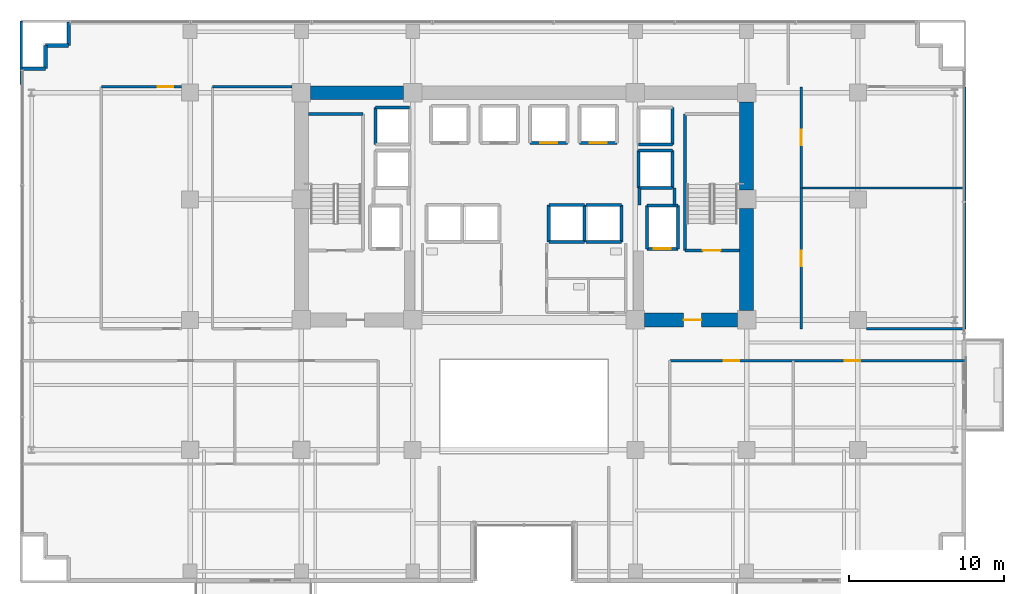
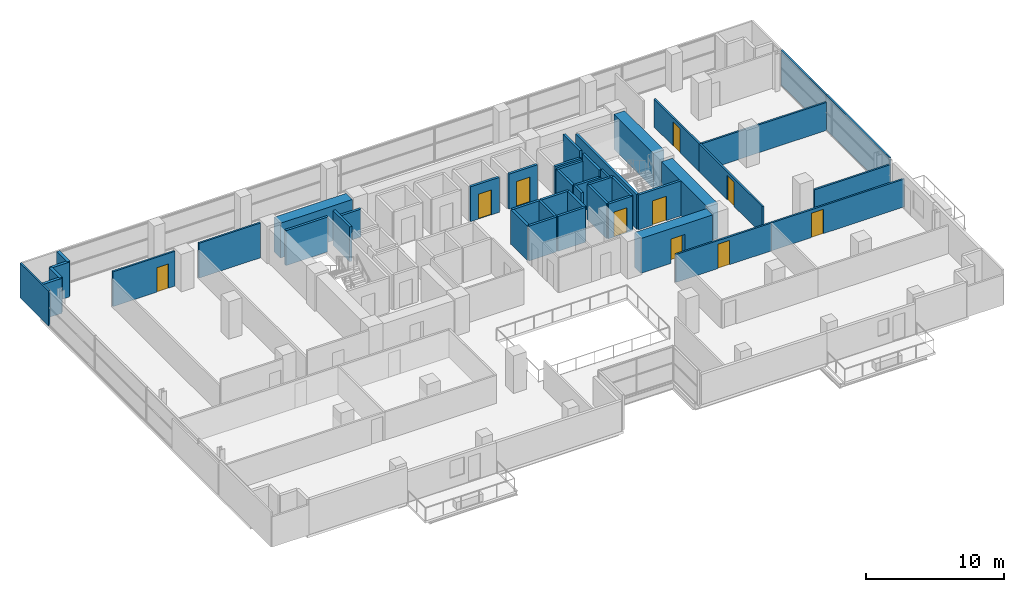
# One storey, part 24 of 29: 45 walls, 10 doors, 10 openings.
"""IFC4 building model written with IfcOpenShell, lengths in metres."""

from ifc_helpers import new_model, si_unit, direction, frame, frame_2d, origin, place, context, subcontext, project, spatial, rectangle, extrude, source, transform, mapped, material, layer, layer_set, type_object, element, fill, save


model = new_model("IFC4")

# Units and contexts
model_context = context("Model", 3, precision=1e-05, world=origin(), true_north=direction((0.0, 1.0)))
body_context = subcontext(model_context, "Body", "Model", "MODEL_VIEW")
ifc_project = project(units=[si_unit("LENGTHUNIT", "METRE"), si_unit("AREAUNIT", "SQUARE_METRE"), si_unit("VOLUMEUNIT", "CUBIC_METRE"), si_unit("PLANEANGLEUNIT", "RADIAN"), si_unit("MASSUNIT", "GRAM", prefix="KILO")], contexts=[model_context])

# Site, building, storey
site_placement = place(None, origin())
site = spatial("IfcSite", under=ifc_project, at=site_placement, CompositionType="ELEMENT")
building_placement = place(site_placement, origin())
building = spatial("IfcBuilding", under=site, at=building_placement, Name="Zarnakvel Exchange Tower", CompositionType="ELEMENT")
storey_placement = place(building_placement, frame((0.0, 0.0, 37.300048828125)))
storey = spatial("IfcBuildingStorey", under=building, at=storey_placement, Name="L09", CompositionType="ELEMENT", Elevation=37.300048828125)

# Walls
ifc_material_1 = material(Name="Concrete C80/95", Category="concrete")
ifc_layer_1 = layer(ifc_material_1, 0.89990234375)
ifc_layer_set_1 = layer_set([ifc_layer_1], Name="Concrete C80/95")
wall_type_1 = type_object("IfcWallType", Name="CW-C1", PredefinedType="SHEAR", material=ifc_layer_set_1)
wall_1_placement = place(storey_placement, frame((-13.800048828125, 13.5, 0.0), z_axis=(0.0, 0.0, 1.0), x_axis=(1.0, 0.0, 0.0)))
element("IfcWall", 1, at=wall_1_placement, inside=storey, type_object=wall_type_1, Name="L09 Rear Core Shear Wall N1 (CW-C1)", PredefinedType="SHEAR", context=body_context, shape_type="SweptSolid", body=[
    extrude(rectangle(XDim=6.0, YDim=0.89990234375, at=frame_2d((3.0, 0.0))), origin(), (0.0, 0.0, 1.0), 3.074951171875),
])
wall_2_placement = place(storey_placement, frame((14.39990234375, -0.60009765625, 0.0), z_axis=(0.0, 0.0, 1.0), x_axis=(0.0, 1.0, 0.0)))
element("IfcWall", 2, at=wall_2_placement, inside=storey, type_object=wall_type_1, Name="L09 Rear Core Shear Wall E1 (CW-C1)", PredefinedType="SHEAR", context=body_context, shape_type="SweptSolid", body=[
    extrude(rectangle(XDim=6.60009765625, YDim=0.89990234375, at=frame_2d((3.300048828125, 0.0))), origin(), (0.0, 0.0, 1.0), 3.074951171875),
])
wall_3_placement = place(storey_placement, frame((14.39990234375, 7.199951171875, 0.0), z_axis=(0.0, 0.0, 1.0), x_axis=(0.0, 1.0, 0.0)))
element("IfcWall", 3, at=wall_3_placement, inside=storey, type_object=wall_type_1, Name="L09 Rear Core Shear Wall E2 (CW-C1)", PredefinedType="SHEAR", context=body_context, shape_type="SweptSolid", body=[
    extrude(rectangle(XDim=5.699951171875, YDim=0.89990234375, at=frame_2d((2.85009765625, 0.0))), origin(), (0.0, 0.0, 1.0), 3.074951171875),
])

# Wall, opening, door
wall_4_placement = place(storey_placement, frame((13.800048828125, -1.199951171875, 0.0), z_axis=(0.0, 0.0, 1.0), x_axis=(-1.0, 0.0, 0.0)))
wall_4 = element("IfcWall", 4, at=wall_4_placement, inside=storey, type_object=wall_type_1, Name="L09 Rear Core Shear Wall SE (CW-C1)", PredefinedType="SHEAR", context=body_context, shape_type="SweptSolid", body=[
    extrude(rectangle(XDim=6.0, YDim=0.89990234375, at=frame_2d((3.0, 0.0))), origin(), (0.0, 0.0, 1.0), 3.074951171875),
])
opening_1_placement = place(wall_4_placement, frame((2.324951171875, 0.0, 0.0)))
opening_1 = element("IfcOpeningElement", 5, at=opening_1_placement, cuts=wall_4, Name="Opening D-L09-04", PredefinedType="OPENING", context=body_context, shape_type="SweptSolid", body=[
    extrude(rectangle(XDim=1.14990234375, YDim=2.14990234375, at=frame_2d((0.574951171875, 1.074951171875))), frame((0.0, 0.4599609375, 0.0), z_axis=(0.0, -1.0, 0.0), x_axis=(1.0, 0.0, 0.0)), (0.0, 0.0, 1.0), 0.919921875),
])
ifc_material_2 = material(Name="Painted Galvanised Steel S355", Category="steel")
door_type_1 = type_object("IfcDoorType", Name="DT-04", OperationType="NOTDEFINED", PredefinedType="DOOR", material=ifc_material_2)
shared_shape_1 = source(origin(), body_context, "Body", "SweptSolid", [
    extrude(rectangle(XDim=1.14990234375, YDim=2.14990234375, at=frame_2d((0.574951171875, 1.074951171875))), frame((0.0, 0.02490234375, 0.0), z_axis=(0.0, -1.0, 0.0), x_axis=(1.0, 0.0, 0.0)), (0.0, 0.0, 1.0), 0.050048828125),
])
door_1_placement = place(opening_1_placement, origin())
door_1 = element("IfcDoor", 6, at=door_1_placement, inside=storey, type_object=door_type_1, Name="L09 Firefighting Lobby East Door D-L09-04", OperationType="SINGLE_SWING_RIGHT", OverallHeight=2.14990234375, OverallWidth=1.14990234375, PredefinedType="DOOR", context=body_context, shape_type="MappedRepresentation", body=[
    mapped(shared_shape_1, transform((0.0, 0.0, 0.0), x_axis=(1.0, 0.0, 0.0), y_axis=(0.0, 1.0, 0.0), z_axis=(0.0, 0.0, 1.0), scale=1.0)),
])
fill(opening_1, door_1)

# Walls
ifc_material_3 = material(Name="Precast concrete C40/50", Category="concrete")
ifc_layer_2 = layer(ifc_material_3, 0.239990234375)
ifc_layer_set_2 = layer_set([ifc_layer_2], Name="Precast concrete C40/50")
wall_type_2 = type_object("IfcWallType", Name="EW-02", PredefinedType="SOLIDWALL", material=ifc_layer_set_2)
for number, where, z_axis, x_axis, name in (
    (7, (-30.9599609375, 15.06005859375, 0.0), (0.0, 0.0, 1.0), (-1.0, 0.0, 0.0), "L09 Exterior Precast Spandrel Wall EWC-L09-01 (EW-02)"),
    (8, (-30.9599609375, 16.56005859375, 0.0), (0.0, 0.0, 1.0), (0.0, -1.0, 0.0), "L09 Exterior Precast Spandrel Wall EWC-L09-02 (EW-02)"),
    (9, (-29.4599609375, 16.56005859375, 0.0), (0.0, 0.0, 1.0), (-1.0, 0.0, 0.0), "L09 Exterior Precast Spandrel Wall EWC-L09-03 (EW-02)"),
    (10, (-29.4599609375, 18.06005859375, 0.0), (0.0, 0.0, 1.0), (0.0, -1.0, 0.0), "L09 Exterior Precast Spandrel Wall EWC-L09-04 (EW-02)"),
):
    element("IfcWall", number, at=place(storey_placement, frame(where, z_axis=z_axis, x_axis=x_axis)), inside=storey, type_object=wall_type_2, Name=name, PredefinedType="SOLIDWALL", context=body_context, shape_type="SweptSolid", body=[
        extrude(rectangle(XDim=1.5, YDim=0.239990234375, at=frame_2d((0.75, 0.0))), origin(), (0.0, 0.0, 1.0), 3.074951171875),
    ])

# Wall, opening, door
ifc_material_4 = material(Name="Fire-Rated Gypsum Stud Partition", Category="gypsum")
ifc_layer_3 = layer(ifc_material_4, 0.14990234375)
ifc_layer_set_3 = layer_set([ifc_layer_3], Name="Fire-Rated Gypsum Stud Partition")
wall_type_3 = type_object("IfcWallType", Name="PT-01", PredefinedType="PARTITIONING", material=ifc_layer_set_3)
wall_5_placement = place(storey_placement, frame((9.429931640625, -3.830078125, 0.0), z_axis=(0.0, 0.0, 1.0), x_axis=(1.0, 0.0, 0.0)))
wall_5 = element("IfcWall", 11, at=wall_5_placement, inside=storey, type_object=wall_type_3, Name="L09 Partition Wall PWALL-L09-033 (PT-01)", PredefinedType="PARTITIONING", context=body_context, shape_type="SweptSolid", body=[
    extrude(rectangle(XDim=7.985107421875, YDim=0.14990234375, at=frame_2d((3.99267578125, 0.0))), origin(), (0.0, 0.0, 1.0), 2.46484375),
])
opening_2_placement = place(wall_5_placement, frame((3.501953125, 0.0, 0.0)))
opening_2 = element("IfcOpeningElement", 12, at=opening_2_placement, cuts=wall_5, Name="Opening D-L09-12", PredefinedType="OPENING", context=body_context, shape_type="SweptSolid", body=[
    extrude(rectangle(XDim=0.97998046875, YDim=2.14990234375, at=frame_2d((0.489990234375, 1.074951171875))), frame((0.0, 0.0849609375, 0.0), z_axis=(0.0, -1.0, 0.0), x_axis=(1.0, 0.0, 0.0)), (0.0, 0.0, 1.0), 0.169921875),
])
ifc_material_5 = material(Name="Timber Acoustic Veneer", Category="wood")
door_type_2 = type_object("IfcDoorType", Name="DT-05", OperationType="NOTDEFINED", PredefinedType="DOOR", material=ifc_material_5)
shared_shape_2 = source(origin(), body_context, "Body", "SweptSolid", [
    extrude(rectangle(XDim=0.97998046875, YDim=2.14990234375, at=frame_2d((0.489990234375, 1.074951171875))), frame((0.0, 0.02490234375, 0.0), z_axis=(0.0, -1.0, 0.0), x_axis=(1.0, 0.0, 0.0)), (0.0, 0.0, 1.0), 0.050048828125),
])
door_2_placement = place(opening_2_placement, origin())
door_2 = element("IfcDoor", 13, at=door_2_placement, inside=storey, type_object=door_type_2, Name="L09 Executive Office Door D-L09-12", OperationType="SINGLE_SWING_RIGHT", OverallHeight=2.14990234375, OverallWidth=0.97998046875, PredefinedType="DOOR", context=body_context, shape_type="MappedRepresentation", body=[
    mapped(shared_shape_2, transform((0.0, 0.0, 0.0), x_axis=(1.0, 0.0, 0.0), y_axis=(0.0, 1.0, 0.0), z_axis=(0.0, 0.0, 1.0), scale=1.0)),
])
fill(opening_2, door_2)

wall_6_placement = place(storey_placement, frame((17.4150390625, -3.830078125, 0.0), z_axis=(0.0, 0.0, 1.0), x_axis=(1.0, 0.0, 0.0)))
wall_6 = element("IfcWall", 14, at=wall_6_placement, inside=storey, type_object=wall_type_3, Name="L09 Partition Wall PWALL-L09-037 (PT-01)", PredefinedType="PARTITIONING", context=body_context, shape_type="SweptSolid", body=[
    extrude(rectangle(XDim=11.114990234375, YDim=0.14990234375, at=frame_2d((5.5576171875, 0.0))), origin(), (0.0, 0.0, 1.0), 2.46484375),
])
opening_3_placement = place(wall_6_placement, frame((3.343017578125, 0.0, 0.0)))
opening_3 = element("IfcOpeningElement", 15, at=opening_3_placement, cuts=wall_6, Name="Opening D-L09-13", PredefinedType="OPENING", context=body_context, shape_type="SweptSolid", body=[
    extrude(rectangle(XDim=0.97998046875, YDim=2.14990234375, at=frame_2d((0.489990234375, 1.074951171875))), frame((0.0, 0.0849609375, 0.0), z_axis=(0.0, -1.0, 0.0), x_axis=(1.0, 0.0, 0.0)), (0.0, 0.0, 1.0), 0.169921875),
])
door_3_placement = place(opening_3_placement, origin())
door_3 = element("IfcDoor", 16, at=door_3_placement, inside=storey, type_object=door_type_2, Name="L09 Meeting Room Door D-L09-13", OperationType="SINGLE_SWING_LEFT", OverallHeight=2.14990234375, OverallWidth=0.97998046875, PredefinedType="DOOR", context=body_context, shape_type="MappedRepresentation", body=[
    mapped(shared_shape_2, transform((0.0, 0.0, 0.0), x_axis=(1.0, 0.0, 0.0), y_axis=(0.0, 1.0, 0.0), z_axis=(0.0, 0.0, 1.0), scale=1.0)),
])
fill(opening_3, door_3)

wall_7_placement = place(storey_placement, frame((-27.346435546875, 13.8798828125, 0.0), z_axis=(0.0, 0.0, 1.0), x_axis=(1.0, 0.0, 0.0)))
wall_7 = element("IfcWall", 17, at=wall_7_placement, inside=storey, type_object=wall_type_3, Name="L09 Partition Wall PWALL-L09-043 (PT-01)", PredefinedType="PARTITIONING", context=body_context, shape_type="SweptSolid", body=[
    extrude(rectangle(XDim=5.176513671875, YDim=0.14990234375, at=frame_2d((2.58837890625, 0.0))), origin(), (0.0, 0.0, 1.0), 3.074951171875),
])
opening_4_placement = place(wall_7_placement, frame((3.66650390625, 0.0, 0.0)))
opening_4 = element("IfcOpeningElement", 18, at=opening_4_placement, cuts=wall_7, Name="Opening D-L09-19", PredefinedType="OPENING", context=body_context, shape_type="SweptSolid", body=[
    extrude(rectangle(XDim=0.97998046875, YDim=2.14990234375, at=frame_2d((0.489990234375, 1.074951171875))), frame((0.0, 0.0849609375, 0.0), z_axis=(0.0, -1.0, 0.0), x_axis=(1.0, 0.0, 0.0)), (0.0, 0.0, 1.0), 0.169921875),
])
door_4_placement = place(opening_4_placement, origin())
door_4 = element("IfcDoor", 19, at=door_4_placement, inside=storey, type_object=door_type_2, Name="L09 Settlement Office Door D-L09-19", OperationType="SINGLE_SWING_LEFT", OverallHeight=2.14990234375, OverallWidth=0.97998046875, PredefinedType="DOOR", context=body_context, shape_type="MappedRepresentation", body=[
    mapped(shared_shape_2, transform((0.0, 0.0, 0.0), x_axis=(1.0, 0.0, 0.0), y_axis=(0.0, 1.0, 0.0), z_axis=(0.0, 0.0, 1.0), scale=1.0)),
])
fill(opening_4, door_4)

# Walls
wall_8_placement = place(storey_placement, frame((-20.153564453125, 13.8798828125, 0.0), z_axis=(0.0, 0.0, 1.0), x_axis=(1.0, 0.0, 0.0)))
element("IfcWall", 20, at=wall_8_placement, inside=storey, type_object=wall_type_3, Name="L09 Partition Wall PWALL-L09-047 (PT-01)", PredefinedType="PARTITIONING", context=body_context, shape_type="SweptSolid", body=[
    extrude(rectangle(XDim=5.133544921875, YDim=0.14990234375, at=frame_2d((2.56689453125, 0.0))), origin(), (0.0, 0.0, 1.0), 3.074951171875),
])
wall_9_placement = place(storey_placement, frame((28.530029296875, -1.77001953125, 0.0), z_axis=(0.0, 0.0, 1.0), x_axis=(-1.0, 0.0, 0.0)))
element("IfcWall", 21, at=wall_9_placement, inside=storey, type_object=wall_type_3, Name="L09 Partition Wall PWALL-L09-048 (PT-01)", PredefinedType="PARTITIONING", context=body_context, shape_type="SweptSolid", body=[
    extrude(rectangle(XDim=6.360107421875, YDim=0.14990234375, at=frame_2d((3.18017578125, 0.0))), origin(), (0.0, 0.0, 1.0), 2.46484375),
])
wall_10_placement = place(storey_placement, frame((17.929931640625, 7.33251953125, 0.0), z_axis=(0.0, 0.0, 1.0), x_axis=(1.0, 0.0, 0.0)))
element("IfcWall", 22, at=wall_10_placement, inside=storey, type_object=wall_type_3, Name="L09 Partition Wall PWALL-L09-049 (PT-01)", PredefinedType="PARTITIONING", context=body_context, shape_type="SweptSolid", body=[
    extrude(rectangle(XDim=10.60009765625, YDim=0.14990234375, at=frame_2d((5.300048828125, 0.0))), origin(), (0.0, 0.0, 1.0), 2.46484375),
])

# Wall, opening, door
wall_11_placement = place(storey_placement, frame((17.929931640625, -1.77001953125, 0.0), z_axis=(0.0, 0.0, 1.0), x_axis=(0.0, 1.0, 0.0)))
wall_11 = element("IfcWall", 23, at=wall_11_placement, inside=storey, type_object=wall_type_3, Name="L09 Partition Wall PWALL-L09-050 (PT-01)", PredefinedType="PARTITIONING", context=body_context, shape_type="SweptSolid", body=[
    extrude(rectangle(XDim=9.1025390625, YDim=0.14990234375, at=frame_2d((4.55126953125, 0.0))), origin(), (0.0, 0.0, 1.0), 2.46484375),
])
opening_5_placement = place(wall_11_placement, frame((4.06103515625, 0.0, 0.0)))
opening_5 = element("IfcOpeningElement", 24, at=opening_5_placement, cuts=wall_11, Name="Opening D-L09-17", PredefinedType="OPENING", context=body_context, shape_type="SweptSolid", body=[
    extrude(rectangle(XDim=0.97998046875, YDim=2.14990234375, at=frame_2d((0.489990234375, 1.074951171875))), frame((0.0, 0.0849609375, 0.0), z_axis=(0.0, -1.0, 0.0), x_axis=(1.0, 0.0, 0.0)), (0.0, 0.0, 1.0), 0.169921875),
])
door_5_placement = place(opening_5_placement, origin())
door_5 = element("IfcDoor", 25, at=door_5_placement, inside=storey, type_object=door_type_2, Name="L09 Breakout Pantry Door D-L09-17", OperationType="SINGLE_SWING_LEFT", OverallHeight=2.14990234375, OverallWidth=0.97998046875, PredefinedType="DOOR", context=body_context, shape_type="MappedRepresentation", body=[
    mapped(shared_shape_2, transform((0.0, 0.0, 0.0), x_axis=(1.0, 0.0, 0.0), y_axis=(0.0, 1.0, 0.0), z_axis=(0.0, 0.0, 1.0), scale=1.0)),
])
fill(opening_5, door_5)

# Wall
wall_12_placement = place(storey_placement, frame((28.530029296875, 7.33251953125, 0.0), z_axis=(0.0, 0.0, 1.0), x_axis=(0.0, -1.0, 0.0)))
element("IfcWall", 26, at=wall_12_placement, inside=storey, type_object=wall_type_3, Name="L09 Partition Wall PWALL-L09-051 (PT-01)", PredefinedType="PARTITIONING", context=body_context, shape_type="SweptSolid", body=[
    extrude(rectangle(XDim=9.1025390625, YDim=0.14990234375, at=frame_2d((4.55126953125, 0.0))), origin(), (0.0, 0.0, 1.0), 3.074951171875),
])

# Wall, opening, door
wall_13_placement = place(storey_placement, frame((17.929931640625, 7.33251953125, 0.0), z_axis=(0.0, 0.0, 1.0), x_axis=(0.0, 1.0, 0.0)))
wall_13 = element("IfcWall", 27, at=wall_13_placement, inside=storey, type_object=wall_type_3, Name="L09 Partition Wall PWALL-L09-053 (PT-01)", PredefinedType="PARTITIONING", context=body_context, shape_type="SweptSolid", body=[
    extrude(rectangle(XDim=6.54736328125, YDim=0.14990234375, at=frame_2d((3.273681640625, 0.0))), origin(), (0.0, 0.0, 1.0), 2.46484375),
])
opening_6_placement = place(wall_13_placement, frame((2.783447265625, 0.0, 0.0)))
opening_6 = element("IfcOpeningElement", 28, at=opening_6_placement, cuts=wall_13, Name="Opening D-L09-18", PredefinedType="OPENING", context=body_context, shape_type="SweptSolid", body=[
    extrude(rectangle(XDim=0.97998046875, YDim=2.14990234375, at=frame_2d((0.489990234375, 1.074951171875))), frame((0.0, 0.0849609375, 0.0), z_axis=(0.0, -1.0, 0.0), x_axis=(1.0, 0.0, 0.0)), (0.0, 0.0, 1.0), 0.169921875),
])
door_6_placement = place(opening_6_placement, origin())
door_6 = element("IfcDoor", 29, at=door_6_placement, inside=storey, type_object=door_type_2, Name="L09 Settlement Office Door D-L09-18", OperationType="SINGLE_SWING_RIGHT", OverallHeight=2.14990234375, OverallWidth=0.97998046875, PredefinedType="DOOR", context=body_context, shape_type="MappedRepresentation", body=[
    mapped(shared_shape_2, transform((0.0, 0.0, 0.0), x_axis=(1.0, 0.0, 0.0), y_axis=(0.0, 1.0, 0.0), z_axis=(0.0, 0.0, 1.0), scale=1.0)),
])
fill(opening_6, door_6)

# Walls
wall_14_placement = place(storey_placement, frame((28.530029296875, 13.8798828125, 0.0), z_axis=(0.0, 0.0, 1.0), x_axis=(0.0, -1.0, 0.0)))
element("IfcWall", 30, at=wall_14_placement, inside=storey, type_object=wall_type_3, Name="L09 Partition Wall PWALL-L09-054 (PT-01)", PredefinedType="PARTITIONING", context=body_context, shape_type="SweptSolid", body=[
    extrude(rectangle(XDim=6.54736328125, YDim=0.14990234375, at=frame_2d((3.273681640625, 0.0))), origin(), (0.0, 0.0, 1.0), 3.074951171875),
])
wall_15_placement = place(storey_placement, frame((-32.530029296875, 14.030029296875, 0.0), z_axis=(0.0, 0.0, 1.0), x_axis=(0.0, 1.0, 0.0)))
element("IfcWall", 31, at=wall_15_placement, inside=storey, type_object=wall_type_3, Name="L09 Partition Wall PWALL-L09-056 (PT-01)", PredefinedType="PARTITIONING", context=body_context, shape_type="SweptSolid", body=[
    extrude(rectangle(XDim=4.099853515625, YDim=0.14990234375, at=frame_2d((2.0498046875, 0.0))), origin(), (0.0, 0.0, 1.0), 3.074951171875),
])
ifc_layer_4 = layer(ifc_material_4, 0.179931640625)
ifc_layer_set_4 = layer_set([ifc_layer_4], Name="Fire-Rated Gypsum Stud Partition")
wall_type_4 = type_object("IfcWallType", Name="PT-02", PredefinedType="PARTITIONING", material=ifc_layer_set_4)
wall_16_placement = place(storey_placement, frame((7.469970703125, 6.239990234375, 0.0), z_axis=(0.0, 0.0, 1.0), x_axis=(0.0, 1.0, 0.0)))
element("IfcWall", 32, at=wall_16_placement, inside=storey, type_object=wall_type_4, Name="L09 Partition Wall PWALL-L09-009 (PT-02)", PredefinedType="PARTITIONING", context=body_context, shape_type="SweptSolid", body=[
    extrude(rectangle(XDim=1.090087890625, YDim=0.179931640625, at=frame_2d((0.544921875, 0.0))), origin(), (0.0, 0.0, 1.0), 2.46484375),
])
wall_17_placement = place(storey_placement, frame((9.72998046875, 7.330078125, 0.0), z_axis=(0.0, 0.0, 1.0), x_axis=(0.0, -1.0, 0.0)))
element("IfcWall", 33, at=wall_17_placement, inside=storey, type_object=wall_type_4, Name="L09 Partition Wall PWALL-L09-010 (PT-02)", PredefinedType="PARTITIONING", context=body_context, shape_type="SweptSolid", body=[
    extrude(rectangle(XDim=1.090087890625, YDim=0.179931640625, at=frame_2d((0.544921875, 0.0))), origin(), (0.0, 0.0, 1.0), 3.074951171875),
])

# Wall, opening, door
ifc_material_6 = material(Name="Concrete C40/50", Category="concrete")
ifc_layer_5 = layer(ifc_material_6, 0.199951171875)
ifc_layer_set_5 = layer_set([ifc_layer_5], Name="Concrete C40/50")
wall_type_5 = type_object("IfcWallType", Name="SW-01", PredefinedType="SOLIDWALL", material=ifc_layer_set_5)
wall_18_placement = place(storey_placement, frame((9.949951171875, 3.39990234375, 0.0), z_axis=(0.0, 0.0, 1.0), x_axis=(-1.0, 0.0, 0.0)))
wall_18 = element("IfcWall", 34, at=wall_18_placement, inside=storey, type_object=wall_type_5, Name="L09 FL-02 Hoistway Wall South", PredefinedType="SOLIDWALL", context=body_context, shape_type="SweptSolid", body=[
    extrude(rectangle(XDim=2.0, YDim=0.199951171875, at=frame_2d((1.0, 0.0))), origin(), (0.0, 0.0, 1.0), 3.074951171875),
])
opening_7_placement = place(wall_18_placement, frame((0.449951171875, 0.0, 0.0)))
opening_7 = element("IfcOpeningElement", 35, at=opening_7_placement, cuts=wall_18, Name="Opening LD-FL-02-L09", PredefinedType="OPENING", context=body_context, shape_type="SweptSolid", body=[
    extrude(rectangle(XDim=1.10009765625, YDim=2.199951171875, at=frame_2d((0.550048828125, 1.10009765625))), frame((0.0, 0.10986328125, 0.0), z_axis=(0.0, -1.0, 0.0), x_axis=(1.0, 0.0, 0.0)), (0.0, 0.0, 1.0), 0.219970703125),
])
ifc_material_7 = material(Name="Brushed Stainless Steel", Category="steel")
door_type_3 = type_object("IfcDoorType", Name="LDT-01", OperationType="NOTDEFINED", PredefinedType="DOOR", material=ifc_material_7)
shared_shape_3 = source(origin(), body_context, "Body", "SweptSolid", [
    extrude(rectangle(XDim=1.10009765625, YDim=2.199951171875, at=frame_2d((0.550048828125, 1.10009765625))), frame((0.0, 0.02490234375, 0.0), z_axis=(0.0, -1.0, 0.0), x_axis=(1.0, 0.0, 0.0)), (0.0, 0.0, 1.0), 0.050048828125),
])
door_7_placement = place(opening_7_placement, origin())
door_7 = element("IfcDoor", 36, at=door_7_placement, inside=storey, type_object=door_type_3, Name="L09 FL-02 Lift Landing Door LD-FL-02-L09", OperationType="DOUBLE_DOOR_SLIDING", OverallHeight=2.199951171875, OverallWidth=1.10009765625, PredefinedType="DOOR", context=body_context, shape_type="MappedRepresentation", body=[
    mapped(shared_shape_3, transform((0.0, 0.0, 0.0), x_axis=(1.0, 0.0, 0.0), y_axis=(0.0, 1.0, 0.0), z_axis=(0.0, 0.0, 1.0), scale=1.0)),
])
fill(opening_7, door_7)

# Walls
wall_19_placement = place(storey_placement, frame((7.949951171875, 6.199951171875, 0.0), z_axis=(0.0, 0.0, 1.0), x_axis=(1.0, 0.0, 0.0)))
element("IfcWall", 37, at=wall_19_placement, inside=storey, type_object=wall_type_5, Name="L09 FL-02 Hoistway Wall North", PredefinedType="SOLIDWALL", context=body_context, shape_type="SweptSolid", body=[
    extrude(rectangle(XDim=2.0, YDim=0.199951171875, at=frame_2d((1.0, 0.0))), origin(), (0.0, 0.0, 1.0), 3.074951171875),
])
for number, where, z_axis, x_axis, name in (
    (38, (7.949951171875, 3.39990234375, 0.0), (0.0, 0.0, 1.0), (0.0, 1.0, 0.0), "L09 FL-02 Hoistway Wall West"),
    (39, (9.949951171875, 6.199951171875, 0.0), (0.0, 0.0, 1.0), (0.0, -1.0, 0.0), "L09 FL-02 Hoistway Wall East"),
):
    element("IfcWall", number, at=place(storey_placement, frame(where, z_axis=z_axis, x_axis=x_axis)), inside=storey, type_object=wall_type_5, Name=name, PredefinedType="SOLIDWALL", context=body_context, shape_type="SweptSolid", body=[
        extrude(rectangle(XDim=2.800048828125, YDim=0.199951171875, at=frame_2d((1.39990234375, 0.0))), origin(), (0.0, 0.0, 1.0), 3.074951171875),
    ])

# Wall, opening, door
wall_20_placement = place(storey_placement, frame((2.800048828125, 10.25, 0.0), z_axis=(0.0, 0.0, 1.0), x_axis=(-1.0, 0.0, 0.0)))
wall_20 = element("IfcWall", 40, at=wall_20_placement, inside=storey, type_object=wall_type_5, Name="L09 PL-03 Hoistway Wall South", PredefinedType="SOLIDWALL", context=body_context, shape_type="SweptSolid", body=[
    extrude(rectangle(XDim=2.400146484375, YDim=0.199951171875, at=frame_2d((1.2001953125, 0.0))), origin(), (0.0, 0.0, 1.0), 3.074951171875),
])
opening_8_placement = place(wall_20_placement, frame((0.64990234375, 0.0, 0.0)))
opening_8 = element("IfcOpeningElement", 41, at=opening_8_placement, cuts=wall_20, Name="Opening LD-PL-03-L09", PredefinedType="OPENING", context=body_context, shape_type="SweptSolid", body=[
    extrude(rectangle(XDim=1.10009765625, YDim=2.199951171875, at=frame_2d((0.550048828125, 1.10009765625))), frame((0.0, 0.10986328125, 0.0), z_axis=(0.0, -1.0, 0.0), x_axis=(1.0, 0.0, 0.0)), (0.0, 0.0, 1.0), 0.219970703125),
])
ifc_material_8 = material(Name="Architectural Bronze Anodised Aluminium", Category="aluminium")
door_type_4 = type_object("IfcDoorType", Name="LDT-02", OperationType="NOTDEFINED", PredefinedType="DOOR", material=ifc_material_8)
door_8_placement = place(opening_8_placement, origin())
door_8 = element("IfcDoor", 42, at=door_8_placement, inside=storey, type_object=door_type_4, Name="L09 PL-03 Lift Landing Door LD-PL-03-L09", OperationType="DOUBLE_DOOR_SLIDING", OverallHeight=2.199951171875, OverallWidth=1.10009765625, PredefinedType="DOOR", context=body_context, shape_type="MappedRepresentation", body=[
    mapped(shared_shape_3, transform((0.0, 0.0, 0.0), x_axis=(1.0, 0.0, 0.0), y_axis=(0.0, 1.0, 0.0), z_axis=(0.0, 0.0, 1.0), scale=1.0)),
])
fill(opening_8, door_8)

wall_21_placement = place(storey_placement, frame((6.0, 10.25, 0.0), z_axis=(0.0, 0.0, 1.0), x_axis=(-1.0, 0.0, 0.0)))
wall_21 = element("IfcWall", 43, at=wall_21_placement, inside=storey, type_object=wall_type_5, Name="L09 PL-04 Hoistway Wall South", PredefinedType="SOLIDWALL", context=body_context, shape_type="SweptSolid", body=[
    extrude(rectangle(XDim=2.39990234375, YDim=0.199951171875, at=frame_2d((1.199951171875, 0.0))), origin(), (0.0, 0.0, 1.0), 3.074951171875),
])
opening_9_placement = place(wall_21_placement, frame((0.64990234375, 0.0, 0.0)))
opening_9 = element("IfcOpeningElement", 44, at=opening_9_placement, cuts=wall_21, Name="Opening LD-PL-04-L09", PredefinedType="OPENING", context=body_context, shape_type="SweptSolid", body=[
    extrude(rectangle(XDim=1.10009765625, YDim=2.199951171875, at=frame_2d((0.550048828125, 1.10009765625))), frame((0.0, 0.10986328125, 0.0), z_axis=(0.0, -1.0, 0.0), x_axis=(1.0, 0.0, 0.0)), (0.0, 0.0, 1.0), 0.219970703125),
])
door_9_placement = place(opening_9_placement, origin())
door_9 = element("IfcDoor", 45, at=door_9_placement, inside=storey, type_object=door_type_4, Name="L09 PL-04 Lift Landing Door LD-PL-04-L09", OperationType="DOUBLE_DOOR_SLIDING", OverallHeight=2.199951171875, OverallWidth=1.10009765625, PredefinedType="DOOR", context=body_context, shape_type="MappedRepresentation", body=[
    mapped(shared_shape_3, transform((0.0, 0.0, 0.0), x_axis=(1.0, 0.0, 0.0), y_axis=(0.0, 1.0, 0.0), z_axis=(0.0, 0.0, 1.0), scale=1.0)),
])
fill(opening_9, door_9)

# Walls
for number, where, z_axis, x_axis, name in (
    (46, (3.89990234375, 3.85009765625, 0.0), (0.0, 0.0, 1.0), (-1.0, 0.0, 0.0), "L09 PL-07 Hoistway Wall South"),
    (47, (1.60009765625, 6.25, 0.0), (0.0, 0.0, 1.0), (1.0, 0.0, 0.0), "L09 PL-07 Hoistway Wall North"),
):
    element("IfcWall", number, at=place(storey_placement, frame(where, z_axis=z_axis, x_axis=x_axis)), inside=storey, type_object=wall_type_5, Name=name, PredefinedType="SOLIDWALL", context=body_context, shape_type="SweptSolid", body=[
        extrude(rectangle(XDim=2.2998046875, YDim=0.199951171875, at=frame_2d((1.14990234375, 0.0))), origin(), (0.0, 0.0, 1.0), 3.074951171875),
    ])
for number, where, z_axis, x_axis, name in (
    (48, (1.60009765625, 3.85009765625, 0.0), (0.0, 0.0, 1.0), (0.0, 1.0, 0.0), "L09 PL-07 Hoistway Wall West"),
    (49, (3.89990234375, 6.25, 0.0), (0.0, 0.0, 1.0), (0.0, -1.0, 0.0), "L09 PL-07 Hoistway Wall East"),
):
    element("IfcWall", number, at=place(storey_placement, frame(where, z_axis=z_axis, x_axis=x_axis)), inside=storey, type_object=wall_type_5, Name=name, PredefinedType="SOLIDWALL", context=body_context, shape_type="SweptSolid", body=[
        extrude(rectangle(XDim=2.39990234375, YDim=0.199951171875, at=frame_2d((1.199951171875, 0.0))), origin(), (0.0, 0.0, 1.0), 3.074951171875),
    ])
for number, where, z_axis, x_axis, name in (
    (50, (6.300048828125, 3.85009765625, 0.0), (0.0, 0.0, 1.0), (-1.0, 0.0, 0.0), "L09 PL-08 Hoistway Wall South"),
    (51, (4.0, 6.25, 0.0), (0.0, 0.0, 1.0), (1.0, 0.0, 0.0), "L09 PL-08 Hoistway Wall North"),
):
    element("IfcWall", number, at=place(storey_placement, frame(where, z_axis=z_axis, x_axis=x_axis)), inside=storey, type_object=wall_type_5, Name=name, PredefinedType="SOLIDWALL", context=body_context, shape_type="SweptSolid", body=[
        extrude(rectangle(XDim=2.300048828125, YDim=0.199951171875, at=frame_2d((1.14990234375, 0.0))), origin(), (0.0, 0.0, 1.0), 3.074951171875),
    ])
wall_22_placement = place(storey_placement, frame((6.300048828125, 6.25, 0.0), z_axis=(0.0, 0.0, 1.0), x_axis=(0.0, -1.0, 0.0)))
element("IfcWall", 52, at=wall_22_placement, inside=storey, type_object=wall_type_5, Name="L09 PL-08 Hoistway Wall East", PredefinedType="SOLIDWALL", context=body_context, shape_type="SweptSolid", body=[
    extrude(rectangle(XDim=2.39990234375, YDim=0.199951171875, at=frame_2d((1.199951171875, 0.0))), origin(), (0.0, 0.0, 1.0), 3.074951171875),
])
wall_23_placement = place(storey_placement, frame((-9.60009765625, 12.550048828125, 0.0), z_axis=(0.0, 0.0, 1.0), x_axis=(1.0, 0.0, 0.0)))
element("IfcWall", 53, at=wall_23_placement, inside=storey, type_object=wall_type_5, Name="L09 PL-10 Hoistway Wall North", PredefinedType="SOLIDWALL", context=body_context, shape_type="SweptSolid", body=[
    extrude(rectangle(XDim=2.2001953125, YDim=0.199951171875, at=frame_2d((1.10009765625, 0.0))), origin(), (0.0, 0.0, 1.0), 2.46484375),
])
wall_24_placement = place(storey_placement, frame((-9.60009765625, 10.14990234375, 0.0), z_axis=(0.0, 0.0, 1.0), x_axis=(0.0, 1.0, 0.0)))
element("IfcWall", 54, at=wall_24_placement, inside=storey, type_object=wall_type_5, Name="L09 PL-10 Hoistway Wall West", PredefinedType="SOLIDWALL", context=body_context, shape_type="SweptSolid", body=[
    extrude(rectangle(XDim=2.400146484375, YDim=0.199951171875, at=frame_2d((1.2001953125, 0.0))), origin(), (0.0, 0.0, 1.0), 3.074951171875),
])
for number, where, z_axis, x_axis, name in (
    (55, (9.60009765625, 7.35009765625, 0.0), (0.0, 0.0, 1.0), (-1.0, 0.0, 0.0), "L09 PL-11 Hoistway Wall South"),
    (56, (7.39990234375, 9.75, 0.0), (0.0, 0.0, 1.0), (1.0, 0.0, 0.0), "L09 PL-11 Hoistway Wall North"),
):
    element("IfcWall", number, at=place(storey_placement, frame(where, z_axis=z_axis, x_axis=x_axis)), inside=storey, type_object=wall_type_5, Name=name, PredefinedType="SOLIDWALL", context=body_context, shape_type="SweptSolid", body=[
        extrude(rectangle(XDim=2.2001953125, YDim=0.199951171875, at=frame_2d((1.10009765625, 0.0))), origin(), (0.0, 0.0, 1.0), 2.46484375),
    ])
wall_25_placement = place(storey_placement, frame((7.39990234375, 7.35009765625, 0.0), z_axis=(0.0, 0.0, 1.0), x_axis=(0.0, 1.0, 0.0)))
element("IfcWall", 57, at=wall_25_placement, inside=storey, type_object=wall_type_5, Name="L09 PL-11 Hoistway Wall West", PredefinedType="SOLIDWALL", context=body_context, shape_type="SweptSolid", body=[
    extrude(rectangle(XDim=2.39990234375, YDim=0.199951171875, at=frame_2d((1.199951171875, 0.0))), origin(), (0.0, 0.0, 1.0), 2.46484375),
])
wall_26_placement = place(storey_placement, frame((9.60009765625, 9.75, 0.0), z_axis=(0.0, 0.0, 1.0), x_axis=(0.0, -1.0, 0.0)))
element("IfcWall", 58, at=wall_26_placement, inside=storey, type_object=wall_type_5, Name="L09 PL-11 Hoistway Wall East", PredefinedType="SOLIDWALL", context=body_context, shape_type="SweptSolid", body=[
    extrude(rectangle(XDim=2.39990234375, YDim=0.199951171875, at=frame_2d((1.199951171875, 0.0))), origin(), (0.0, 0.0, 1.0), 3.074951171875),
])
wall_27_placement = place(storey_placement, frame((9.60009765625, 10.14990234375, 0.0), z_axis=(0.0, 0.0, 1.0), x_axis=(-1.0, 0.0, 0.0)))
element("IfcWall", 59, at=wall_27_placement, inside=storey, type_object=wall_type_5, Name="L09 PL-12 Hoistway Wall South", PredefinedType="SOLIDWALL", context=body_context, shape_type="SweptSolid", body=[
    extrude(rectangle(XDim=2.2001953125, YDim=0.199951171875, at=frame_2d((1.10009765625, 0.0))), origin(), (0.0, 0.0, 1.0), 2.46484375),
])
wall_28_placement = place(storey_placement, frame((9.60009765625, 12.550048828125, 0.0), z_axis=(0.0, 0.0, 1.0), x_axis=(0.0, -1.0, 0.0)))
element("IfcWall", 60, at=wall_28_placement, inside=storey, type_object=wall_type_5, Name="L09 PL-12 Hoistway Wall East", PredefinedType="SOLIDWALL", context=body_context, shape_type="SweptSolid", body=[
    extrude(rectangle(XDim=2.400146484375, YDim=0.199951171875, at=frame_2d((1.2001953125, 0.0))), origin(), (0.0, 0.0, 1.0), 3.074951171875),
])
ifc_layer_6 = layer(ifc_material_6, 0.199951171875)
ifc_layer_set_6 = layer_set([ifc_layer_6], Name="Concrete C40/50")
wall_type_6 = type_object("IfcWallType", Name="SW-02", PredefinedType="SOLIDWALL", material=ifc_layer_set_6)
wall_29_placement = place(storey_placement, frame((-13.929931640625, 12.1298828125, 0.0), z_axis=(0.0, 0.0, 1.0), x_axis=(1.0, 0.0, 0.0)))
element("IfcWall", 61, at=wall_29_placement, inside=storey, type_object=wall_type_6, Name="L09 Stairwell Core Wall PWALL-L09-002 (SW-02)", PredefinedType="SOLIDWALL", context=body_context, shape_type="SweptSolid", body=[
    extrude(rectangle(XDim=3.52001953125, YDim=0.199951171875, at=frame_2d((1.760009765625, 0.0))), origin(), (0.0, 0.0, 1.0), 3.074951171875),
])

# Wall, opening, door
wall_30_placement = place(storey_placement, frame((13.929931640625, 3.2900390625, 0.0), z_axis=(0.0, 0.0, 1.0), x_axis=(-1.0, 0.0, 0.0)))
wall_30 = element("IfcWall", 62, at=wall_30_placement, inside=storey, type_object=wall_type_6, Name="L09 Stairwell Core Wall PWALL-L09-004 (SW-02)", PredefinedType="SOLIDWALL", context=body_context, shape_type="SweptSolid", body=[
    extrude(rectangle(XDim=3.52001953125, YDim=0.199951171875, at=frame_2d((1.760009765625, 0.0))), origin(), (0.0, 0.0, 1.0), 3.074951171875),
])
opening_10_placement = place(wall_30_placement, frame((1.205078125, 0.0, 0.0)))
opening_10 = element("IfcOpeningElement", 63, at=opening_10_placement, cuts=wall_30, Name="Opening D-L09-02", PredefinedType="OPENING", context=body_context, shape_type="SweptSolid", body=[
    extrude(rectangle(XDim=1.14990234375, YDim=2.14990234375, at=frame_2d((0.574951171875, 1.074951171875))), frame((0.0, 0.10986328125, 0.0), z_axis=(0.0, -1.0, 0.0), x_axis=(1.0, 0.0, 0.0)), (0.0, 0.0, 1.0), 0.219970703125),
])
door_10_placement = place(opening_10_placement, origin())
door_10 = element("IfcDoor", 64, at=door_10_placement, inside=storey, type_object=door_type_1, Name="L09 Stairwell ST-02 Door D-L09-02", OperationType="SINGLE_SWING_RIGHT", OverallHeight=2.14990234375, OverallWidth=1.14990234375, PredefinedType="DOOR", context=body_context, shape_type="MappedRepresentation", body=[
    mapped(shared_shape_1, transform((0.0, 0.0, 0.0), x_axis=(1.0, 0.0, 0.0), y_axis=(0.0, 1.0, 0.0), z_axis=(0.0, 0.0, 1.0), scale=1.0)),
])
fill(opening_10, door_10)

# Wall
wall_31_placement = place(storey_placement, frame((10.409912109375, 3.2900390625, 0.0), z_axis=(0.0, 0.0, 1.0), x_axis=(0.0, 1.0, 0.0)))
element("IfcWall", 65, at=wall_31_placement, inside=storey, type_object=wall_type_6, Name="L09 Stairwell Core Wall PWALL-L09-006 (SW-02)", PredefinedType="SOLIDWALL", context=body_context, shape_type="SweptSolid", body=[
    extrude(rectangle(XDim=8.83984375, YDim=0.199951171875, at=frame_2d((4.419921875, 0.0))), origin(), (0.0, 0.0, 1.0), 3.074951171875),
])

save(model, "model.ifc")
